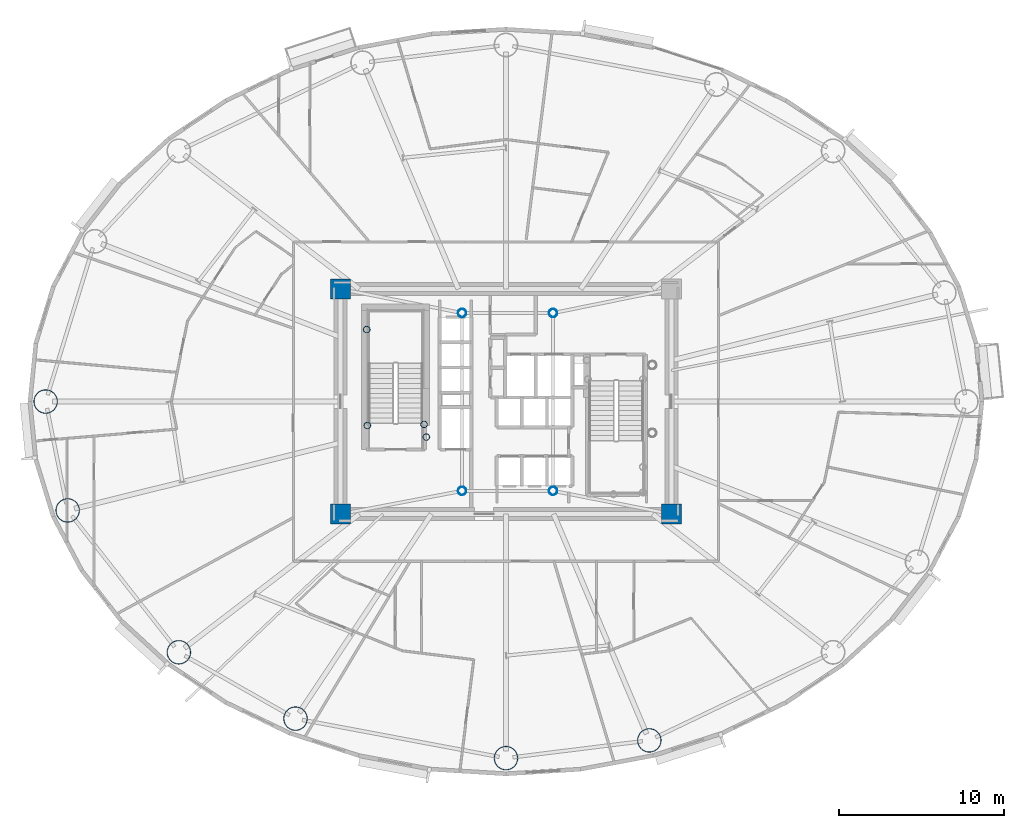
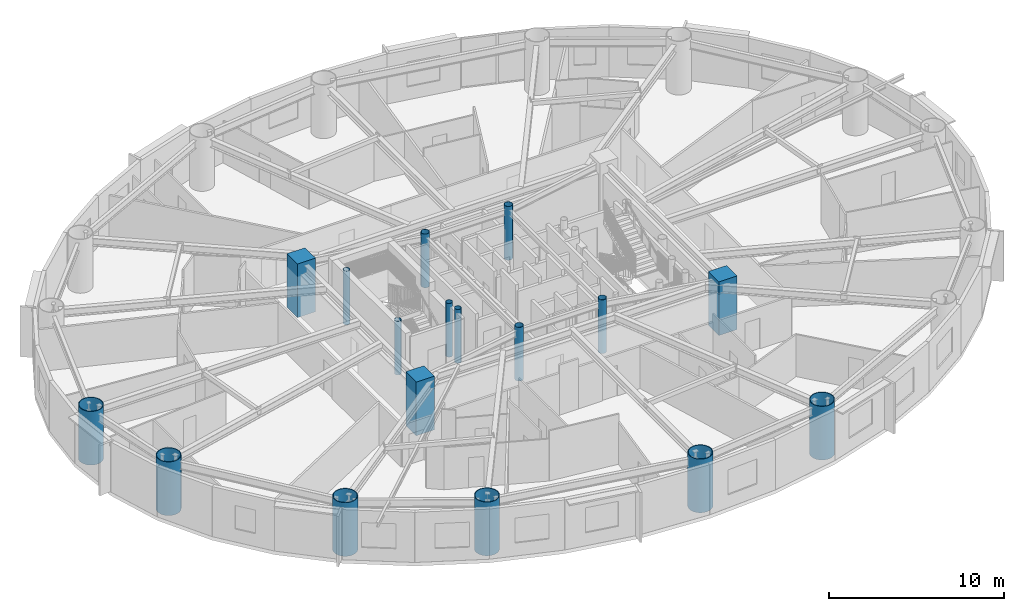
# One storey, part 1 of 21: 17 columns.
"""IFC4 building model written with IfcOpenShell, lengths in metres."""

from ifc_helpers import new_model, si_unit, direction, frame, origin, origin_2d, place, context, subcontext, project, spatial, rectangle, hollow_circle, extrude, material, material_profile, profile_set, type_object, element, save


model = new_model("IFC4")

# Units and contexts
model_context = context("Model", 3, precision=1e-05, world=origin(), true_north=direction((0.0, 1.0)))
body_context = subcontext(model_context, "Body", "Model", "MODEL_VIEW")
ifc_project = project(units=[si_unit("LENGTHUNIT", "METRE"), si_unit("AREAUNIT", "SQUARE_METRE"), si_unit("VOLUMEUNIT", "CUBIC_METRE"), si_unit("PLANEANGLEUNIT", "RADIAN"), si_unit("MASSUNIT", "GRAM", prefix="KILO")], contexts=[model_context])

# Site, building, storey
site_placement = place(None, origin())
site = spatial("IfcSite", under=ifc_project, at=site_placement, CompositionType="ELEMENT")
building_placement = place(site_placement, origin())
building = spatial("IfcBuilding", under=site, at=building_placement, Name="Linh Dai School and Residence Tower", CompositionType="ELEMENT")
storey_placement = place(building_placement, frame((0.0, 0.0, 97.199951171875)))
storey = spatial("IfcBuildingStorey", under=building, at=storey_placement, Name="L22", CompositionType="ELEMENT", Elevation=97.199951171875)

# Columns
ifc_material_1 = material(Name="Concrete B60 (C50/60)", Category="concrete")
ifc_material_profile_1 = material_profile(ifc_material_1, rectangle(XDim=1.199951171875, YDim=1.199951171875, at=origin_2d()), Name="RC 1200x1200")
ifc_profile_set_1 = profile_set([ifc_material_profile_1], Name="Concrete B60 (C50/60)")
column_type_1 = type_object("IfcColumnType", Name="COL-CC2", PredefinedType="COLUMN", material=ifc_profile_set_1)
for number, where, z_axis, x_axis, name in (
    (1, (26.0, 20.199951171875, 0.0), (0.0, 0.0, 1.0), (1.0, 0.0, 0.0), "L22 Core Corner Pier CC1"),
    (2, (46.0, 20.199951171875, 0.0), (0.0, 0.0, 1.0), (1.0, 0.0, 0.0), "L22 Core Corner Pier CC2"),
    (3, (26.0, 33.800048828125, 0.0), (0.0, 0.0, 1.0), (1.0, 0.0, 0.0), "L22 Core Corner Pier CC4"),
):
    element("IfcColumn", number, at=place(storey_placement, frame(where, z_axis=z_axis, x_axis=x_axis)), inside=storey, type_object=column_type_1, Name=name, PredefinedType="COLUMN", context=body_context, shape_type="SweptSolid", body=[
        extrude(rectangle(XDim=1.199951171875, YDim=1.199951171875, at=origin_2d()), origin(), (0.0, 0.0, 1.0), 3.75),
    ])
ifc_material_2 = material(Name="Structural Steel S355JR", Category="steel")
ifc_material_profile_2 = material_profile(ifc_material_2, hollow_circle(Radius=0.203125, WallThickness=0.01611328125, at=origin_2d()), Name="CHS 406.4x16")
ifc_profile_set_2 = profile_set([ifc_material_profile_2], Name="Structural Steel S355JR")
column_type_2 = type_object("IfcColumnType", Name="COL-EC", PredefinedType="COLUMN", material=ifc_profile_set_2)
for number, where, z_axis, x_axis, name in (
    (4, (27.580078125, 31.35009765625, 0.0), (0.0, 0.0, 1.0), (1.0, 0.0, 0.0), "L22 Stair Shaft Landing Support Pier ST1NW"),
    (5, (31.050048828125, 25.6201171875, 0.0), (0.0, 0.0, 1.0), (1.0, 0.0, 0.0), "L22 Stair Shaft Landing Support Pier ST1SE"),
    (6, (31.179931640625, 24.85009765625, 0.0), (0.0, 0.0, 1.0), (1.0, 0.0, 0.0), "L22 Stair Shaft Landing Support Pier ST1SM"),
    (7, (27.6201171875, 25.550048828125, 0.0), (0.0, 0.0, 1.0), (1.0, 0.0, 0.0), "L22 Stair Shaft Landing Support Pier ST1SW"),
):
    element("IfcColumn", number, at=place(storey_placement, frame(where, z_axis=z_axis, x_axis=x_axis)), inside=storey, type_object=column_type_2, Name=name, PredefinedType="COLUMN", context=body_context, shape_type="SweptSolid", body=[
        extrude(hollow_circle(Radius=0.203125, WallThickness=0.01611328125, at=origin_2d()), origin(), (0.0, 0.0, 1.0), 3.75),
    ])
ifc_material_profile_3 = material_profile(ifc_material_2, hollow_circle(Radius=0.72509765625, WallThickness=0.0419921875, at=origin_2d()), Name="CHS 1450x42")
ifc_profile_set_3 = profile_set([ifc_material_profile_3], Name="Structural Steel S355JR")
column_type_3 = type_object("IfcColumnType", Name="COL-MC3", PredefinedType="COLUMN", material=ifc_profile_set_3)
for number, where, z_axis, x_axis, name in (
    (8, (8.175048828125, 27.0, 0.0), (0.0, 0.0, 1.0), (1.0, 0.0, 0.0), "L22 Perimeter CFT Mega-Column MC09"),
    (9, (9.50732421875, 20.4189453125, 0.0), (0.0, 0.0, 1.0), (1.0, 0.0, 0.0), "L22 Perimeter CFT Mega-Column MC10"),
    (10, (16.227294921875, 11.844482421875, 0.0), (0.0, 0.0, 1.0), (1.0, 0.0, 0.0), "L22 Perimeter CFT Mega-Column MC11"),
    (11, (23.278076171875, 7.8349609375, 0.0), (0.0, 0.0, 1.0), (1.0, 0.0, 0.0), "L22 Perimeter CFT Mega-Column MC12"),
    (12, (36.0, 5.445068359375, 0.0), (0.0, 0.0, 1.0), (1.0, 0.0, 0.0), "L22 Perimeter CFT Mega-Column MC13"),
    (13, (44.66552734375, 6.519287109375, 0.0), (0.0, 0.0, 1.0), (1.0, 0.0, 0.0), "L22 Perimeter CFT Mega-Column MC14"),
):
    element("IfcColumn", number, at=place(storey_placement, frame(where, z_axis=z_axis, x_axis=x_axis)), inside=storey, type_object=column_type_3, Name=name, PredefinedType="COLUMN", context=body_context, shape_type="SweptSolid", body=[
        extrude(hollow_circle(Radius=0.72509765625, WallThickness=0.0419921875, at=origin_2d()), origin(), (0.0, 0.0, 1.0), 3.75),
    ])
ifc_material_profile_4 = material_profile(ifc_material_2, hollow_circle(Radius=0.25390625, WallThickness=0.02001953125, at=origin_2d()), Name="CHS 508x20")
ifc_profile_set_4 = profile_set([ifc_material_profile_4], Name="Structural Steel S355JR")
column_type_4 = type_object("IfcColumnType", Name="COL-MCP", PredefinedType="COLUMN", material=ifc_profile_set_4)
for number, where, z_axis, x_axis, name in (
    (14, (33.35009765625, 21.60009765625, 0.0), (0.0, 0.0, 1.0), (1.0, 0.0, 0.0), "L22 Core Mast Support Pier MCP1"),
    (15, (38.85009765625, 21.60009765625, 0.0), (0.0, 0.0, 1.0), (1.0, 0.0, 0.0), "L22 Core Mast Support Pier MCP2"),
    (16, (38.85009765625, 32.35009765625, 0.0), (0.0, 0.0, 1.0), (1.0, 0.0, 0.0), "L22 Core Mast Support Pier MCP3"),
    (17, (33.35009765625, 32.35009765625, 0.0), (0.0, 0.0, 1.0), (1.0, 0.0, 0.0), "L22 Core Mast Support Pier MCP4"),
):
    element("IfcColumn", number, at=place(storey_placement, frame(where, z_axis=z_axis, x_axis=x_axis)), inside=storey, type_object=column_type_4, Name=name, PredefinedType="COLUMN", context=body_context, shape_type="SweptSolid", body=[
        extrude(hollow_circle(Radius=0.25390625, WallThickness=0.02001953125, at=origin_2d()), origin(), (0.0, 0.0, 1.0), 3.75),
    ])

save(model, "model.ifc")
